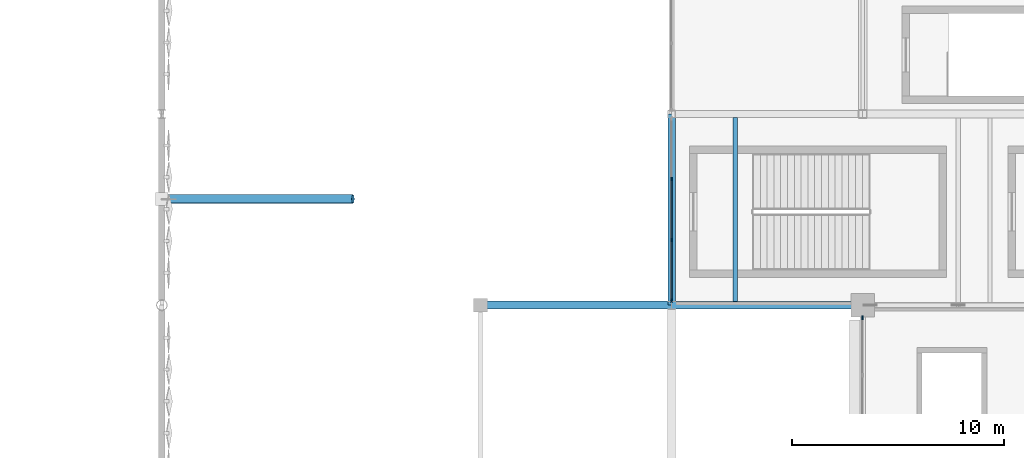
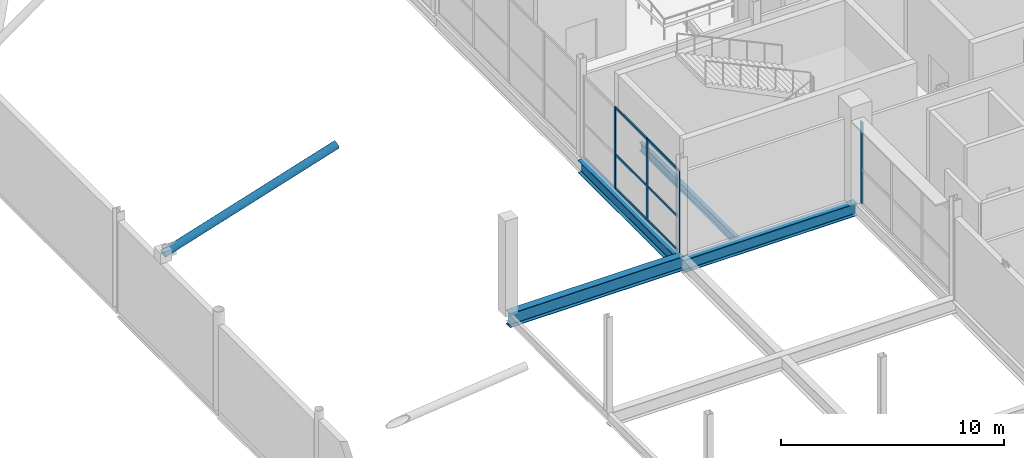
# One storey, part 55 of 119: 11 members, 4 beams, 2 elements without a shape of their own.
"""IFC4 building model written with IfcOpenShell, lengths in metres."""

from ifc_helpers import new_model, si_unit, direction, frame, origin, origin_2d, place, context, subcontext, project, spatial, rectangle, hollow_circle, i_section, extrude, material, layer, layer_set, material_profile, profile_set, type_object, element, aggregate, save


model = new_model("IFC4")

# Units and contexts
model_context = context("Model", 3, precision=1e-05, world=origin(), true_north=direction((0.0, 1.0)))
body_context = subcontext(model_context, "Body", "Model", "MODEL_VIEW")
ifc_project = project(units=[si_unit("LENGTHUNIT", "METRE"), si_unit("AREAUNIT", "SQUARE_METRE"), si_unit("VOLUMEUNIT", "CUBIC_METRE"), si_unit("PLANEANGLEUNIT", "RADIAN"), si_unit("MASSUNIT", "GRAM", prefix="KILO")], contexts=[model_context])

# Site, building, storey
site_placement = place(None, origin())
site = spatial("IfcSite", under=ifc_project, at=site_placement, CompositionType="ELEMENT")
building_placement = place(site_placement, origin())
building = spatial("IfcBuilding", under=site, at=building_placement, Name="Qamarlyn Nura Convention Centre", CompositionType="ELEMENT")
storey_placement = place(building_placement, frame((0.0, 0.0, 5.39990234375)))
storey = spatial("IfcBuildingStorey", under=building, at=storey_placement, Name="L01", CompositionType="ELEMENT", Elevation=5.39990234375)

# Beams
ifc_material_1 = material(Name="Steel ASTM A992", Category="steel")
ifc_material_profile_1 = material_profile(ifc_material_1, i_section(OverallWidth=0.35498046875, OverallDepth=0.695068359375, WebThickness=0.015380859375, FlangeThickness=0.02490234375, FilletRadius=0.01806640625, at=origin_2d()), Name="W690X217")
ifc_profile_set_1 = profile_set([ifc_material_profile_1], Name="Steel ASTM A992")
beam_type_1 = type_object("IfcBeamType", Name="BM-GIRD-690A", PredefinedType="BEAM", material=ifc_profile_set_1)
for number, where, z_axis, x_axis, name in (
    (1, (144.0, 81.0, -0.58740234375), (1.0, 0.0, 0.0), (0.0, 1.0, 0.0), "L01 girder K 12-13"),
    (2, (144.0, 81.0, -0.58740234375), (0.0, 1.0, 0.0), (-1.0, 0.0, 0.0), "L01 girder 12 K-L"),
):
    element("IfcBeam", number, at=place(storey_placement, frame(where, z_axis=z_axis, x_axis=x_axis)), inside=storey, type_object=beam_type_1, Name=name, PredefinedType="BEAM", context=body_context, shape_type="SweptSolid", body=[
        extrude(i_section(OverallWidth=0.35498046875, OverallDepth=0.695068359375, WebThickness=0.015380859375, FlangeThickness=0.02490234375, FilletRadius=0.01806640625, at=origin_2d()), origin(), (0.0, 0.0, 1.0), 9.0),
    ])
ifc_material_profile_2 = material_profile(ifc_material_1, i_section(OverallWidth=0.381103515625, OverallDepth=0.77294921875, WebThickness=0.0166015625, FlangeThickness=0.027587890625, FilletRadius=0.02001953125, at=origin_2d()), Name="W760X257")
ifc_profile_set_2 = profile_set([ifc_material_profile_2], Name="Steel ASTM A992")
beam_type_2 = type_object("IfcBeamType", Name="BM-GIRD-760", PredefinedType="BEAM", material=ifc_profile_set_2)
beam_1_placement = place(storey_placement, frame((135.0, 81.0, -0.386474609375), z_axis=(1.0, 0.0, 0.0), x_axis=(0.0, 1.0, 0.0)))
element("IfcBeam", 3, at=beam_1_placement, inside=storey, type_object=beam_type_2, Name="L01 girder K 11-12", PredefinedType="BEAM", context=body_context, shape_type="SweptSolid", body=[
    extrude(i_section(OverallWidth=0.381103515625, OverallDepth=0.77294921875, WebThickness=0.0166015625, FlangeThickness=0.027587890625, FilletRadius=0.02001953125, at=origin_2d()), origin(), (0.0, 0.0, 1.0), 9.0),
])
ifc_material_profile_3 = material_profile(ifc_material_1, i_section(OverallWidth=0.18994140625, OverallDepth=0.45703125, WebThickness=0.009033203125, FlangeThickness=0.014404296875, FilletRadius=0.012939453125, at=origin_2d()), Name="W460X74")
ifc_profile_set_3 = profile_set([ifc_material_profile_3], Name="Steel ASTM A992")
beam_type_3 = type_object("IfcBeamType", Name="BM-JOIST-460", PredefinedType="JOIST", material=ifc_profile_set_3)
beam_2_placement = place(storey_placement, frame((147.0, 81.177490234375, -0.468505859375), z_axis=(0.0, 1.0, 0.0), x_axis=(-1.0, 0.0, 0.0)))
element("IfcBeam", 4, at=beam_2_placement, inside=storey, type_object=beam_type_3, Name="L01 secondary joist 12-13/K-L-04", PredefinedType="JOIST", context=body_context, shape_type="SweptSolid", body=[
    extrude(i_section(OverallWidth=0.18994140625, OverallDepth=0.45703125, WebThickness=0.009033203125, FlangeThickness=0.014404296875, FilletRadius=0.012939453125, at=origin_2d()), origin(), (0.0, 0.0, 1.0), 8.660400390625),
])

# Curtain wall, members
ifc_material_2 = material(Name="Double-silver low-E insulated glass", Category="glass")
ifc_layer_1 = layer(ifc_material_2, 0.179931640625, Name="CW-UNIT-83")
ifc_layer_set_1 = layer_set([ifc_layer_1], Name="Double-silver low-E insulated glass")
curtain_wall_type_1 = type_object("IfcCurtainWallType", Name="CW-UNIT-83", PredefinedType="NOTDEFINED", material=ifc_layer_set_1)
curtain_wall_1_placement = place(storey_placement, origin())
curtain_wall_1 = element("IfcCurtainWall", 5, at=curtain_wall_1_placement, inside=storey, type_object=curtain_wall_type_1, Name="L01 unitised curtain wall PLW-81-1", PredefinedType="NOTDEFINED")
ifc_material_3 = material(Name="Champagne-anodised marine aluminium", Category="aluminium")
ifc_material_profile_4 = material_profile(ifc_material_3, rectangle(XDim=0.06494140625, YDim=0.159912109375, at=origin_2d()), Name="ALU MULLION 65x160")
ifc_profile_set_4 = profile_set([ifc_material_profile_4], Name="Champagne-anodised marine aluminium")
member_type_1 = type_object("IfcMemberType", Name="CWM-160", PredefinedType="MULLION", material=ifc_profile_set_4)
member_1_placement = place(storey_placement, frame((144.0, 81.218505859375, 0.0), z_axis=(0.0, 0.0, 1.0), x_axis=(-1.0, 0.0, 0.0)))
member_1 = element("IfcMember", 6, at=member_1_placement, type_object=member_type_1, Name="CW83 mullion 1", PredefinedType="MULLION", context=body_context, shape_type="SweptSolid", body=[
    extrude(rectangle(XDim=0.06494140625, YDim=0.159912109375, at=origin_2d()), origin(), (0.0, 0.0, 1.0), 4.47021484375),
])
member_2_placement = place(storey_placement, frame((144.0, 84.065673828125, 0.0), z_axis=(0.0, 0.0, 1.0), x_axis=(-1.0, 0.0, 0.0)))
member_2 = element("IfcMember", 7, at=member_2_placement, type_object=member_type_1, Name="CW83 mullion 2", PredefinedType="MULLION", context=body_context, shape_type="SweptSolid", body=[
    extrude(rectangle(XDim=0.06494140625, YDim=0.159912109375, at=origin_2d()), origin(), (0.0, 0.0, 1.0), 4.47021484375),
])
member_3_placement = place(storey_placement, frame((144.0, 86.9453125, 0.0), z_axis=(0.0, 0.0, 1.0), x_axis=(-1.0, 0.0, 0.0)))
member_3 = element("IfcMember", 8, at=member_3_placement, type_object=member_type_1, Name="CW83 mullion 3", PredefinedType="MULLION", context=body_context, shape_type="SweptSolid", body=[
    extrude(rectangle(XDim=0.06494140625, YDim=0.159912109375, at=origin_2d()), origin(), (0.0, 0.0, 1.0), 4.47021484375),
])

# Curtain wall, member
ifc_layer_2 = layer(ifc_material_2, 0.179931640625, Name="CW-UNIT-63")
ifc_layer_set_2 = layer_set([ifc_layer_2], Name="Double-silver low-E insulated glass")
curtain_wall_type_2 = type_object("IfcCurtainWallType", Name="CW-UNIT-63", PredefinedType="NOTDEFINED", material=ifc_layer_set_2)
curtain_wall_2_placement = place(storey_placement, origin())
curtain_wall_2 = element("IfcCurtainWall", 9, at=curtain_wall_2_placement, inside=storey, type_object=curtain_wall_type_2, Name="L01 unitised curtain wall CRT-72-1", PredefinedType="NOTDEFINED")
ifc_material_profile_5 = material_profile(ifc_material_3, rectangle(XDim=0.070068359375, YDim=0.179931640625, at=origin_2d()), Name="ALU MULLION 70x180")
ifc_profile_set_5 = profile_set([ifc_material_profile_5], Name="Champagne-anodised marine aluminium")
member_type_2 = type_object("IfcMemberType", Name="CWM-180", PredefinedType="MULLION", material=ifc_profile_set_5)
member_4_placement = place(storey_placement, frame((153.0, 80.4150390625, 0.0), z_axis=(0.0, 0.0, 1.0), x_axis=(-1.0, 0.0, 0.0)))
member_4 = element("IfcMember", 10, at=member_4_placement, type_object=member_type_2, Name="CW63 mullion 4", PredefinedType="MULLION", context=body_context, shape_type="SweptSolid", body=[
    extrude(rectangle(XDim=0.070068359375, YDim=0.179931640625, at=origin_2d()), origin(), (0.0, 0.0, 1.0), 4.481201171875),
])
aggregate(curtain_wall_2, [member_4])

# Member
ifc_material_profile_6 = material_profile(ifc_material_3, rectangle(XDim=0.06494140625, YDim=0.1201171875, at=origin_2d()), Name="ALU TRANSOM 65x120")
ifc_profile_set_6 = profile_set([ifc_material_profile_6], Name="Champagne-anodised marine aluminium")
member_type_3 = type_object("IfcMemberType", Name="CWT-120", PredefinedType="USERDEFINED", material=ifc_profile_set_6)
member_5_placement = place(storey_placement, frame((144.0, 81.2509765625, 0.03271484375), z_axis=(0.0, 1.0, 0.0), x_axis=(-1.0, 0.0, 0.0)))
member_5 = element("IfcMember", 11, at=member_5_placement, type_object=member_type_3, Name="CW83 transom 1.1", ObjectType="TRANSOM", PredefinedType="USERDEFINED", context=body_context, shape_type="SweptSolid", body=[
    extrude(rectangle(XDim=0.06494140625, YDim=0.1201171875, at=origin_2d()), origin(), (0.0, 0.0, 1.0), 2.7822265625),
])

member_6_placement = place(storey_placement, frame((144.0, 81.2509765625, 1.877197265625), z_axis=(0.0, 1.0, 0.0), x_axis=(-1.0, 0.0, 0.0)))
member_6 = element("IfcMember", 12, at=member_6_placement, type_object=member_type_3, Name="CW83 transom 1.2", ObjectType="TRANSOM", PredefinedType="USERDEFINED", context=body_context, shape_type="SweptSolid", body=[
    extrude(rectangle(XDim=0.06494140625, YDim=0.1201171875, at=origin_2d()), origin(), (0.0, 0.0, 1.0), 2.7822265625),
])

member_7_placement = place(storey_placement, frame((144.0, 81.2509765625, 4.4375), z_axis=(0.0, 1.0, 0.0), x_axis=(-1.0, 0.0, 0.0)))
member_7 = element("IfcMember", 13, at=member_7_placement, type_object=member_type_3, Name="CW83 transom 1.3", ObjectType="TRANSOM", PredefinedType="USERDEFINED", context=body_context, shape_type="SweptSolid", body=[
    extrude(rectangle(XDim=0.06494140625, YDim=0.1201171875, at=origin_2d()), origin(), (0.0, 0.0, 1.0), 2.7822265625),
])

member_8_placement = place(storey_placement, frame((144.0, 84.09814453125, 0.03271484375), z_axis=(0.0, 1.0, 0.0), x_axis=(-1.0, 0.0, 0.0)))
member_8 = element("IfcMember", 14, at=member_8_placement, type_object=member_type_3, Name="CW83 transom 2.1", ObjectType="TRANSOM", PredefinedType="USERDEFINED", context=body_context, shape_type="SweptSolid", body=[
    extrude(rectangle(XDim=0.06494140625, YDim=0.1201171875, at=origin_2d()), origin(), (0.0, 0.0, 1.0), 2.814697265625),
])

member_9_placement = place(storey_placement, frame((144.0, 84.09814453125, 1.877197265625), z_axis=(0.0, 1.0, 0.0), x_axis=(-1.0, 0.0, 0.0)))
member_9 = element("IfcMember", 15, at=member_9_placement, type_object=member_type_3, Name="CW83 transom 2.2", ObjectType="TRANSOM", PredefinedType="USERDEFINED", context=body_context, shape_type="SweptSolid", body=[
    extrude(rectangle(XDim=0.06494140625, YDim=0.1201171875, at=origin_2d()), origin(), (0.0, 0.0, 1.0), 2.814697265625),
])

member_10_placement = place(storey_placement, frame((144.0, 84.09814453125, 4.4375), z_axis=(0.0, 1.0, 0.0), x_axis=(-1.0, 0.0, 0.0)))
member_10 = element("IfcMember", 16, at=member_10_placement, type_object=member_type_3, Name="CW83 transom 2.3", ObjectType="TRANSOM", PredefinedType="USERDEFINED", context=body_context, shape_type="SweptSolid", body=[
    extrude(rectangle(XDim=0.06494140625, YDim=0.1201171875, at=origin_2d()), origin(), (0.0, 0.0, 1.0), 2.814697265625),
])

aggregate(curtain_wall_1, [member_1, member_2, member_3, member_5, member_6, member_7, member_8, member_9, member_10])

ifc_material_4 = material(Name="Pearl-white PVDF steel ASTM A500 Grade C", Category="steel")
ifc_material_profile_7 = material_profile(ifc_material_4, hollow_circle(Radius=0.203125, WallThickness=0.01611328125, at=origin_2d()), Name="CHS406.4X16")
ifc_profile_set_7 = profile_set([ifc_material_profile_7], Name="Pearl-white PVDF steel ASTM A500 Grade C")
member_type_4 = type_object("IfcMemberType", Name="STR-TREE-01", PredefinedType="BRACE", material=ifc_profile_set_7)
member_11_placement = place(storey_placement, frame((120.0, 86.0, 5.400146484375), z_axis=(0.953888770822, 0.0, 0.300160311999), x_axis=(0.0, 1.0, 0.0)))
element("IfcMember", 17, at=member_11_placement, inside=storey, type_object=member_type_4, Name="Raked tree strut RTS-E-6", PredefinedType="BRACE", context=body_context, shape_type="SweptSolid", body=[
    extrude(hollow_circle(Radius=0.203125, WallThickness=0.01611328125, at=origin_2d()), origin(), (0.0, 0.0, 1.0), 9.43505859375),
])

save(model, "model.ifc")
